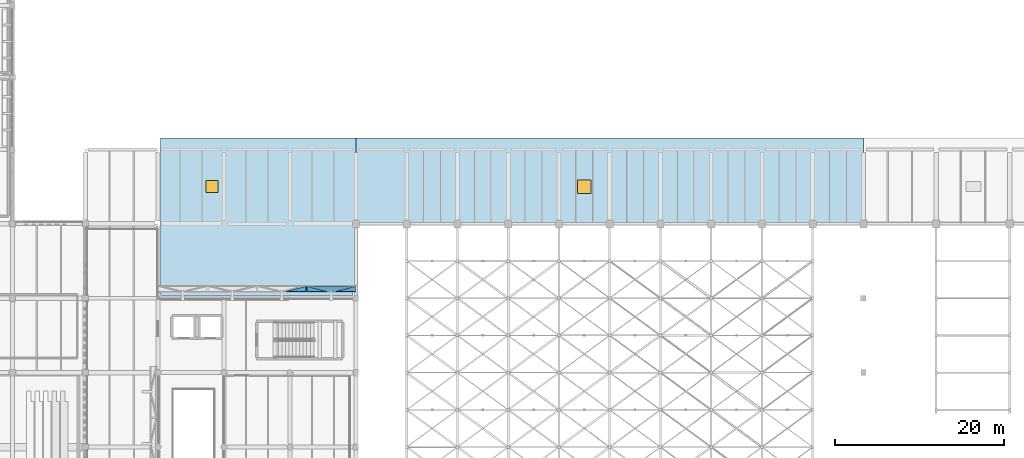
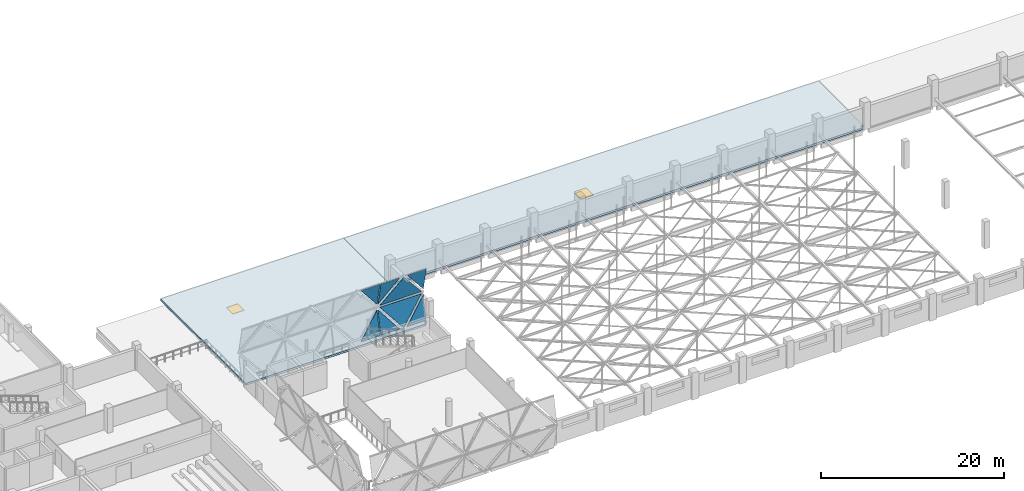
# One storey, part 69 of 93: 8 plates, 2 slabs, 2 windows, 2 openings, 2 elements without a shape of their own.
"""IFC4 building model written with IfcOpenShell, lengths in metres."""

import ifcopenshell
import ifcopenshell.guid

model = None  # the IFC model being written
_history = None  # IfcOwnerHistory: only IFC2X3 demands one
_inside = {}  # id of a spatial element -> (the spatial element, [elements in it])
_under = {}  # id of a project, library or spatial element -> (it, [spatial elements below it])
_declared = {}  # id of a project -> (the project, [libraries it declares])
_typed = {}  # id of a type object -> (the type object, [elements of that type])
_made_of = {}  # id of a material, layer set ... -> (it, [elements and type objects made of it])


def new_model(schema):
    """Start an empty IFC model of exactly this schema.

    Asked for "IFC4X3", IfcOpenShell would pick the latest addendum, in which some entities
    have other attributes; the version numbers below select the first issue.
    IFC2X3 requires an IfcOwnerHistory on every rooted entity: one is made here for all.
    """
    global model, _history
    if schema == "IFC4X3":
        model = ifcopenshell.file(schema_version=(4, 3, 0, 0))
    else:
        model = ifcopenshell.file(schema=schema)
    _inside.clear()
    _under.clear()
    _declared.clear()
    _typed.clear()
    _made_of.clear()
    _history = None
    if model.schema == "IFC2X3":
        org = make("IfcOrganization", Name="unknown")
        user = make(
            "IfcPersonAndOrganization",
            ThePerson=make("IfcPerson", FamilyName="unknown"),
            TheOrganization=org,
        )
        app = make(
            "IfcApplication",
            ApplicationDeveloper=org,
            Version="unknown",
            ApplicationFullName="unknown",
            ApplicationIdentifier="unknown",
        )
        _history = make(
            "IfcOwnerHistory",
            OwningUser=user,
            OwningApplication=app,
            ChangeAction="ADDED",
            CreationDate=0,
        )
    return model


def make(cls, **values):
    """One entity of the class cls with the attributes given. An attribute that is None is left unset."""
    return model.create_entity(
        cls, **{name: value for name, value in values.items() if value is not None}
    )


def rooted(cls, **values):
    """An entity with a GlobalId (a new one), such as an element, a storey or a relation."""
    return make(cls, GlobalId=ifcopenshell.guid.new(), OwnerHistory=_history, **values)


def si_unit(unit_type, name, prefix=None):
    """IfcSIUnit, for example si_unit("LENGTHUNIT", "METRE", prefix="MILLI")."""
    return make("IfcSIUnit", UnitType=unit_type, Prefix=prefix, Name=name)


def assignment(units):
    """IfcUnitAssignment: the units of a project."""
    return None if units is None else make("IfcUnitAssignment", Units=units)


def point(xyz):
    """IfcCartesianPoint."""
    return None if xyz is None else make("IfcCartesianPoint", Coordinates=xyz)


def direction(xyz):
    """IfcDirection."""
    return None if xyz is None else make("IfcDirection", DirectionRatios=xyz)


def frame(location, z_axis=None, x_axis=None):
    """IfcAxis2Placement3D, a coordinate frame: its origin and axes. An axis left out is left unset."""
    return make(
        "IfcAxis2Placement3D",
        Location=point(location),
        Axis=direction(z_axis),
        RefDirection=direction(x_axis),
    )


def frame_2d(location, x_axis=None):
    """IfcAxis2Placement2D, a coordinate frame in the plane: its origin and x axis."""
    return make(
        "IfcAxis2Placement2D", Location=point(location), RefDirection=direction(x_axis)
    )


def origin():
    """The frame at (0, 0, 0) with its axes left unset."""
    return frame((0.0, 0.0, 0.0))


def origin_2d():
    """The frame at (0, 0) in the plane with its x axis left unset."""
    return frame_2d((0.0, 0.0))


def place(relative_to, where):
    """IfcLocalPlacement: puts the frame where relative to a parent placement (None: the world)."""
    return make(
        "IfcLocalPlacement", PlacementRelTo=relative_to, RelativePlacement=where
    )


def context(
    kind, dimensions, precision=None, world=None, true_north=None, identifier=None
):
    """IfcGeometricRepresentationContext, for example the 3D "Model" context."""
    return make(
        "IfcGeometricRepresentationContext",
        ContextIdentifier=identifier,
        ContextType=kind,
        CoordinateSpaceDimension=dimensions,
        Precision=precision,
        WorldCoordinateSystem=world,
        TrueNorth=true_north,
    )


def subcontext(parent, identifier, kind, view, scale=None):
    """IfcGeometricRepresentationSubContext, for example "Body" below "Model"."""
    return make(
        "IfcGeometricRepresentationSubContext",
        ContextIdentifier=identifier,
        ContextType=kind,
        ParentContext=parent,
        TargetScale=scale,
        TargetView=view,
    )


def project(units=None, contexts=None):
    """IfcProject with its units and contexts."""
    return rooted(
        "IfcProject",
        Name="project",
        RepresentationContexts=contexts,
        UnitsInContext=assignment(units),
    )


def spatial(cls, under=None, at=None, **own):
    """A site, building, storey or space (cls), placed at a placement, below another one or the project."""
    s = rooted(cls, ObjectPlacement=at, **own)
    if under is not None:
        _under.setdefault(under.id(), (under, []))[1].append(s)
    return s


def polyline(points):
    """IfcPolyline through the points."""
    return make("IfcPolyline", Points=[point(p) for p in points])


def profile(cls, at=None, kind="AREA", **sizes):
    """A parametric profile (cls). Its sizes go by their IFC names, for example OverallWidth=200.0."""
    return make(cls, ProfileType=kind, Position=at, **sizes)


def rectangle(**sizes):
    """IfcRectangleProfileDef."""
    return profile("IfcRectangleProfileDef", **sizes)


def outline(outer, holes=None, kind="AREA"):
    """IfcArbitraryClosedProfileDef: a profile drawn as a closed curve; with holes, ...WithVoids."""
    if holes is None:
        return make("IfcArbitraryClosedProfileDef", ProfileType=kind, OuterCurve=outer)
    return make(
        "IfcArbitraryProfileDefWithVoids",
        ProfileType=kind,
        OuterCurve=outer,
        InnerCurves=holes,
    )


def extrude(swept, where, along, depth):
    """IfcExtrudedAreaSolid: the profile swept, set in the frame where, extruded along a direction by depth."""
    return make(
        "IfcExtrudedAreaSolid",
        SweptArea=swept,
        Position=where,
        ExtrudedDirection=direction(along),
        Depth=depth,
    )


def shape(context_of_items, identifier, shape_type, items):
    """IfcShapeRepresentation: the items that make up one representation, for example the "Body"."""
    return make(
        "IfcShapeRepresentation",
        ContextOfItems=context_of_items,
        RepresentationIdentifier=identifier,
        RepresentationType=shape_type,
        Items=items,
    )


def material(Name=None, Category=None):
    """IfcMaterial."""
    return make("IfcMaterial", Name=Name, Category=Category)


def layer(
    of_material, thickness, ventilated=None, Name=None, Category=None, Priority=None
):
    """IfcMaterialLayer: one layer of a wall or slab, of a material (None: an air gap)."""
    return make(
        "IfcMaterialLayer",
        Material=of_material,
        LayerThickness=thickness,
        IsVentilated=ventilated,
        Name=Name,
        Category=Category,
        Priority=Priority,
    )


def layer_set(layers, Name=None):
    """IfcMaterialLayerSet."""
    return make("IfcMaterialLayerSet", MaterialLayers=layers, LayerSetName=Name)


def made_of(thing, what):
    """Note that an element or type object is made of a material, layer set ...; save() writes the relation."""
    if what is not None:
        _made_of.setdefault(what.id(), (what, []))[1].append(thing)
    return thing


def type_object(cls, material=None, **own):
    """A type object (cls), such as IfcWallType, which elements share."""
    return made_of(rooted(cls, **own), material)


def element(
    cls,
    number,
    at=None,
    inside=None,
    cuts=None,
    type_object=None,
    material=None,
    context=None,
    identifier="Body",
    shape_type=None,
    held_by="IfcProductDefinitionShape",
    body=None,
    shapes=None,
    **own,
):
    """One element of the class cls, such as IfcWall. Its Tag is "e" and its number.

    at: its placement. inside: the storey or other place that contains it. cuts: it is an
    opening in that element (IfcRelVoidsElement). A single representation is given by context,
    identifier, shape_type and body (its items); several are given by shapes. held_by: the class
    of the entity that holds the representations. save() writes the other relations.
    """
    e = rooted(cls, Tag="e%d" % number, ObjectPlacement=at, **own)
    if body is not None:
        shapes = [shape(context, identifier, shape_type, body)]
    if shapes is not None:
        e.Representation = make(held_by, Representations=shapes)
    if inside is not None:
        _inside.setdefault(inside.id(), (inside, []))[1].append(e)
    if cuts is not None:
        rooted(
            "IfcRelVoidsElement", RelatingBuildingElement=cuts, RelatedOpeningElement=e
        )
    if type_object is not None:
        _typed.setdefault(type_object.id(), (type_object, []))[1].append(e)
    return made_of(e, material)


def fill(opening, filler):
    """IfcRelFillsElement: the door or window that sits in an opening."""
    return rooted(
        "IfcRelFillsElement",
        RelatingOpeningElement=opening,
        RelatedBuildingElement=filler,
    )


def aggregate(whole, parts):
    """IfcRelAggregates: a whole, such as a stair, and the parts it consists of."""
    return rooted("IfcRelAggregates", RelatingObject=whole, RelatedObjects=parts)


def save(model, path):
    """Write the relations noted so far, then the file.

    IfcRelAggregates (storeys below a building ...), IfcRelContainedInSpatialStructure (elements
    in a storey), IfcRelDefinesByType, IfcRelAssociatesMaterial and IfcRelDeclares: one each for
    every whole, place, type object, material and project.
    """
    for whole, parts in _under.values():
        aggregate(whole, parts)
    for where, things in _inside.values():
        rooted(
            "IfcRelContainedInSpatialStructure",
            RelatedElements=things,
            RelatingStructure=where,
        )
    for kind, things in _typed.values():
        rooted("IfcRelDefinesByType", RelatedObjects=things, RelatingType=kind)
    for what, things in _made_of.values():
        rooted("IfcRelAssociatesMaterial", RelatedObjects=things, RelatingMaterial=what)
    for by, libraries in _declared.values():
        rooted("IfcRelDeclares", RelatingContext=by, RelatedDefinitions=libraries)
    model.write(path)


model = new_model("IFC4")

# Units and contexts
model_context = context("Model", 3, precision=1e-05, world=origin(), true_north=direction((0.0, 1.0)))
body_context = subcontext(model_context, "Body", "Model", "MODEL_VIEW")
ifc_project = project(units=[si_unit("LENGTHUNIT", "METRE"), si_unit("AREAUNIT", "SQUARE_METRE"), si_unit("VOLUMEUNIT", "CUBIC_METRE"), si_unit("PLANEANGLEUNIT", "RADIAN"), si_unit("MASSUNIT", "GRAM", prefix="KILO")], contexts=[model_context])

# Site, building, storey
site_placement = place(None, origin())
site = spatial("IfcSite", under=ifc_project, at=site_placement, CompositionType="ELEMENT")
building_placement = place(site_placement, origin())
building = spatial("IfcBuilding", under=site, at=building_placement, Name="Varnakota Cinema and Media Centre", CompositionType="ELEMENT")
storey_placement = place(building_placement, frame((0.0, 0.0, 12.0)))
storey = spatial("IfcBuildingStorey", under=building, at=storey_placement, Name="L03", CompositionType="ELEMENT", Elevation=12.0)

# Curtain wall, plates
ifc_material_1 = material(Name="Anodised golden-bronze aluminium AW-6063", Category="aluminium")
curtain_wall_type = type_object("IfcCurtainWallType", Name="CW-DMD-585x705", PredefinedType="USERDEFINED", material=ifc_material_1)
curtain_wall_1_placement = place(storey_placement, origin())
curtain_wall_1 = element("IfcCurtainWall", 1, at=curtain_wall_1_placement, inside=storey, type_object=curtain_wall_type, Name="L03 folded diamond foyer curtain wall CW-V6DMD-N-T2-D04", ObjectType="DIAMOND FOLDED CURTAIN WALL", PredefinedType="USERDEFINED")
ifc_material_2 = material(Name="Laminated solar-control double glazing", Category="glass")
ifc_layer_1 = layer(ifc_material_2, 0.028076171875)
ifc_layer_set_1 = layer_set([ifc_layer_1], Name="Laminated solar-control double glazing")
plate_type_1 = type_object("IfcPlateType", Name="CWP-DGU-28", PredefinedType="CURTAIN_PANEL", material=ifc_layer_set_1)
plate_1_placement = place(storey_placement, frame((69.429931640625, 27.76513671875, 3.385009765625), z_axis=(0.0, -0.979928851946, 0.199347548575), x_axis=(0.624083687907, -0.155761703166, -0.765674762752)))
plate_1 = element("IfcPlate", 2, at=plate_1_placement, type_object=plate_type_1, Name="CW-V6DMD-N-T2-D04 lower diamond fitted glass facet", PredefinedType="CURTAIN_PANEL", context=body_context, shape_type="SweptSolid", body=[
    extrude(outline(polyline([(0.0, 0.0), (4.238244938145499, -4.440892098500626e-16), (3.3014270872958185, 4.133411722783652), (0.0, 0.0)])), origin(), (0.0, 0.0, -1.0), 0.02392578125),
])
plate_2_placement = place(storey_placement, frame((69.429931640625, 27.76513671875, 3.6650390625), z_axis=(0.0, 0.97992592191, 0.199361951158), x_axis=(1.0, 0.0, 0.0)))
plate_2 = element("IfcPlate", 3, at=plate_2_placement, type_object=plate_type_1, Name="CW-V6DMD-N-T2-D04 upper diamond fitted glass facet", PredefinedType="CURTAIN_PANEL", context=body_context, shape_type="SweptSolid", body=[
    extrude(outline(polyline([(0.0, 0.0), (5.2900390625, 0.0), (2.64501953125, -3.311345250007904), (0.0, 0.0)])), origin(), (0.0, 0.0, -1.0), 0.02392578125),
])

curtain_wall_2_placement = place(storey_placement, origin())
curtain_wall_2 = element("IfcCurtainWall", 4, at=curtain_wall_2_placement, inside=storey, type_object=curtain_wall_type, Name="L03 folded diamond foyer curtain wall CW-V6DMD-N-T2-D03", ObjectType="DIAMOND FOLDED CURTAIN WALL", PredefinedType="USERDEFINED")
ifc_material_3 = material(Name="Anodised golden-bronze aluminium AW-6063", Category="aluminium")
ifc_layer_2 = layer(ifc_material_3, 0.035888671875)
ifc_layer_set_2 = layer_set([ifc_layer_2], Name="Anodised golden-bronze aluminium AW-6063")
plate_type_2 = type_object("IfcPlateType", Name="CWP-GOLD-36", PredefinedType="CURTAIN_PANEL", material=ifc_layer_set_2)
plate_3_placement = place(storey_placement, frame((66.705078125, 27.177978515625, 0.10009765625), z_axis=(0.0, -0.979916370061, 0.199408895704), x_axis=(1.0, 0.0, 0.0)))
plate_3 = element("IfcPlate", 5, at=plate_3_placement, type_object=plate_type_2, Name="CW-V6DMD-N-T2-D03 golden metal folded diamond spandrel SP-BR", PredefinedType="CURTAIN_PANEL", context=body_context, shape_type="SweptSolid", body=[
    extrude(outline(polyline([(0.0, 0.0), (2.385009765625, 0.0), (2.385009765625, 3.107328306811832), (0.0, 0.0)])), origin(), (0.0, 0.0, -1.0), 0.028076171875),
])
plate_4_placement = place(storey_placement, frame((69.090087890625, 27.797607421875, 3.905029296875), z_axis=(0.0, 0.979916370061, 0.199408895704), x_axis=(0.0, -0.199408895704, 0.979916370061)))
plate_4 = element("IfcPlate", 6, at=plate_4_placement, type_object=plate_type_2, Name="CW-V6DMD-N-T2-D03 golden metal folded diamond spandrel SP-TR", PredefinedType="CURTAIN_PANEL", context=body_context, shape_type="SweptSolid", body=[
    extrude(outline(polyline([(0.0, 0.0), (3.1073283068118323, 0.0), (3.1073283068118323, -2.3850097656250004), (0.0, 0.0)])), origin(), (0.0, 0.0, -1.0), 0.028076171875),
])
aggregate(curtain_wall_2, [plate_3, plate_4])

# Plate
plate_5_placement = place(storey_placement, frame((69.2099609375, 27.177978515625, 0.10009765625), z_axis=(0.0, -0.979916370061, 0.199408895704), x_axis=(1.0, 0.0, 0.0)))
plate_5 = element("IfcPlate", 7, at=plate_5_placement, type_object=plate_type_2, Name="CW-V6DMD-N-T2-D04 golden metal folded diamond spandrel SP-BL", PredefinedType="CURTAIN_PANEL", context=body_context, shape_type="SweptSolid", body=[
    extrude(outline(polyline([(0.0, 0.0), (2.385009765625, 0.0), (0.0, 3.107328306811832), (0.0, 0.0)])), origin(), (0.0, 0.0, -1.0), 0.028076171875),
])

plate_6_placement = place(storey_placement, frame((72.554931640625, 27.177978515625, 0.10009765625), z_axis=(0.0, -0.979916370061, 0.199408895704), x_axis=(1.0, 0.0, 0.0)))
plate_6 = element("IfcPlate", 8, at=plate_6_placement, type_object=plate_type_2, Name="CW-V6DMD-N-T2-D04 golden metal folded diamond spandrel SP-BR", PredefinedType="CURTAIN_PANEL", context=body_context, shape_type="SweptSolid", body=[
    extrude(outline(polyline([(0.0, 0.0), (2.385009765625, 0.0), (2.385009765625, 3.107328306811832), (0.0, 0.0)])), origin(), (0.0, 0.0, -1.0), 0.028076171875),
])

plate_7_placement = place(storey_placement, frame((69.2099609375, 27.797607421875, 3.905029296875), z_axis=(0.0, 0.979916370061, 0.199408895704), x_axis=(0.60886954556, -0.158185168045, 0.777338619329)))
plate_7 = element("IfcPlate", 9, at=plate_7_placement, type_object=plate_type_2, Name="CW-V6DMD-N-T2-D04 golden metal folded diamond spandrel SP-TL", PredefinedType="CURTAIN_PANEL", context=body_context, shape_type="SweptSolid", body=[
    extrude(outline(polyline([(0.0, 0.0), (3.9171112810897655, 2.220446049250313e-16), (2.4649514689375556, -1.891957574074185), (0.0, 0.0)])), origin(), (0.0, 0.0, -1.0), 0.028076171875),
])

plate_8_placement = place(storey_placement, frame((74.93994140625, 27.797607421875, 3.905029296875), z_axis=(0.0, 0.979916370061, 0.199408895704), x_axis=(0.0, -0.199408895704, 0.979916370061)))
plate_8 = element("IfcPlate", 10, at=plate_8_placement, type_object=plate_type_2, Name="CW-V6DMD-N-T2-D04 golden metal folded diamond spandrel SP-TR", PredefinedType="CURTAIN_PANEL", context=body_context, shape_type="SweptSolid", body=[
    extrude(outline(polyline([(0.0, 0.0), (3.1073283068118323, 0.0), (3.1073283068118323, -2.3850097656250004), (0.0, 0.0)])), origin(), (0.0, 0.0, -1.0), 0.028076171875),
])

aggregate(curtain_wall_1, [plate_1, plate_2, plate_5, plate_6, plate_7, plate_8])

# Slab, opening, window
ifc_material_4 = material(Name="Concrete M35", Category="concrete")
ifc_layer_3 = layer(ifc_material_4, 0.260009765625)
ifc_layer_set_3 = layer_set([ifc_layer_3], Name="Concrete M35")
slab_type = type_object("IfcSlabType", Name="SLB-ROOF-260", PredefinedType="ROOF", material=ifc_layer_set_3)
slab_1_placement = place(storey_placement, frame((0.0, 0.0, -0.260009765625)))
slab_1 = element("IfcSlab", 11, at=slab_1_placement, inside=storey, type_object=slab_type, Name="L03 overhanging cool roof ROOF-CHOWK-LINK", PredefinedType="ROOF", context=body_context, shape_type="SweptSolid", body=[
    extrude(outline(polyline([(51.89990234375, 26.699951171875), (74.64990234375, 26.699951171875), (74.64990234375, 27.050048828125), (75.0, 27.050048828125), (75.0, 45.35009765625), (51.89990234375, 45.35009765625), (51.89990234375, 26.699951171875)])), origin(), (0.0, 0.0, 1.0), 0.260009765625),
])
opening_1_placement = place(slab_1_placement, frame((58.0, 39.60009765625, 0.0)))
opening_1 = element("IfcOpeningElement", 12, at=opening_1_placement, cuts=slab_1, Name="Opening SK1", PredefinedType="OPENING", context=body_context, shape_type="SweptSolid", body=[
    extrude(rectangle(XDim=1.39990234375, YDim=1.39990234375, at=origin_2d()), origin(), (0.0, 0.0, 1.0), 0.260009765625),
])
ifc_material_5 = material(Name="Laminated solar-control double glazing", Category="glass")
window_type_1 = type_object("IfcWindowType", Name="SKY-HATCH-1", PartitioningType="SINGLE_PANEL", PredefinedType="SKYLIGHT", material=ifc_material_5)
window_1_placement = place(opening_1_placement, frame((0.0, 0.0, 0.2099609375)))
window_1 = element("IfcWindow", 13, at=window_1_placement, inside=storey, type_object=window_type_1, Name="L03 acoustic smoke-vent skylight SKY-L03-1", OverallHeight=1.39990234375, OverallWidth=1.39990234375, PartitioningType="SINGLE_PANEL", PredefinedType="SKYLIGHT", context=body_context, shape_type="SweptSolid", body=[
    extrude(rectangle(XDim=1.39990234375, YDim=1.39990234375, at=origin_2d()), origin(), (0.0, 0.0, 1.0), 0.050048828125),
])
fill(opening_1, window_1)

slab_2_placement = place(storey_placement, frame((0.0, 0.0, -0.260009765625)))
slab_2 = element("IfcSlab", 14, at=slab_2_placement, inside=storey, type_object=slab_type, Name="L03 overhanging cool roof ROOF-V1-CONC", PredefinedType="ROOF", context=body_context, shape_type="SweptSolid", body=[
    extrude(outline(polyline([(75.0, 35.199951171875), (134.64990234375, 35.199951171875), (134.64990234375, 35.550048828125), (135.0, 35.550048828125), (135.0, 45.35009765625), (75.0, 45.35009765625), (75.0, 35.199951171875)])), origin(), (0.0, 0.0, 1.0), 0.260009765625),
])
opening_2_placement = place(slab_2_placement, frame((102.0, 39.60009765625, 0.0)))
opening_2 = element("IfcOpeningElement", 15, at=opening_2_placement, cuts=slab_2, Name="Opening SK2", PredefinedType="OPENING", context=body_context, shape_type="SweptSolid", body=[
    extrude(rectangle(XDim=1.60009765625, YDim=1.60009765625, at=origin_2d()), origin(), (0.0, 0.0, 1.0), 0.260009765625),
])
ifc_material_6 = material(Name="Laminated solar-control double glazing", Category="glass")
window_type_2 = type_object("IfcWindowType", Name="SKY-HATCH-2", PartitioningType="SINGLE_PANEL", PredefinedType="SKYLIGHT", material=ifc_material_6)
window_2_placement = place(opening_2_placement, frame((0.0, 0.0, 0.2099609375)))
window_2 = element("IfcWindow", 16, at=window_2_placement, inside=storey, type_object=window_type_2, Name="L03 acoustic smoke-vent skylight SKY-L03-2", OverallHeight=1.60009765625, OverallWidth=1.60009765625, PartitioningType="SINGLE_PANEL", PredefinedType="SKYLIGHT", context=body_context, shape_type="SweptSolid", body=[
    extrude(rectangle(XDim=1.60009765625, YDim=1.60009765625, at=origin_2d()), origin(), (0.0, 0.0, 1.0), 0.050048828125),
])
fill(opening_2, window_2)

save(model, "model.ifc")
